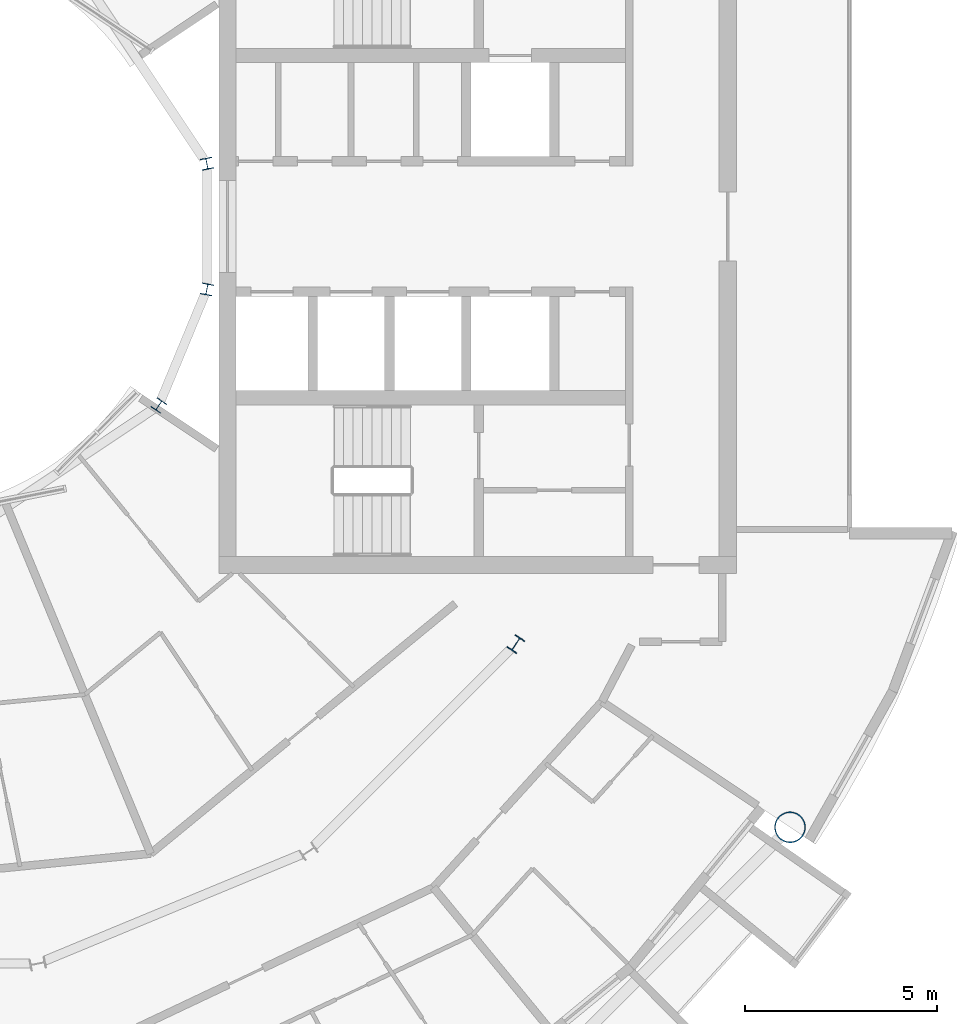
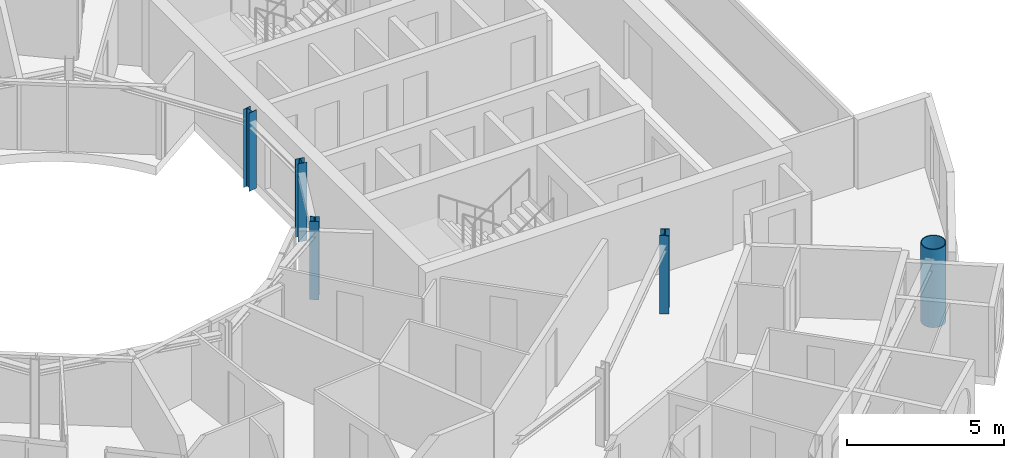
# One storey, part 3 of 29: 5 columns.
"""IFC4 building model written with IfcOpenShell, lengths in metres."""

from ifc_helpers import new_model, si_unit, direction, frame, origin, origin_2d, place, context, subcontext, project, spatial, hollow_circle, i_section, extrude, material, material_profile, profile_set, type_object, element, save


model = new_model("IFC4")

# Units and contexts
model_context = context("Model", 3, precision=1e-05, world=origin(), true_north=direction((0.0, 1.0)))
body_context = subcontext(model_context, "Body", "Model", "MODEL_VIEW")
ifc_project = project(units=[si_unit("LENGTHUNIT", "METRE"), si_unit("AREAUNIT", "SQUARE_METRE"), si_unit("VOLUMEUNIT", "CUBIC_METRE"), si_unit("PLANEANGLEUNIT", "RADIAN"), si_unit("MASSUNIT", "GRAM", prefix="KILO")], contexts=[model_context])

# Site, building, storey
site_placement = place(None, origin())
site = spatial("IfcSite", under=ifc_project, at=site_placement, CompositionType="ELEMENT")
building_placement = place(site_placement, origin())
building = spatial("IfcBuilding", under=site, at=building_placement, Name="Maasbend Ring Residences", CompositionType="ELEMENT")
storey_placement = place(building_placement, frame((0.0, 0.0, 212.699951171875)))
storey = spatial("IfcBuildingStorey", under=building, at=storey_placement, Name="L61", CompositionType="ELEMENT", Elevation=212.699951171875)

# Columns
ifc_material_1 = material(Name="Composite concrete-filled steel tube S460NH / C80/95", Category="concrete")
ifc_material_profile_1 = material_profile(ifc_material_1, hollow_circle(Radius=0.406494140625, WallThickness=0.030029296875, at=origin_2d()), Name="Composite tube column CHS 813x30")
ifc_profile_set_1 = profile_set([ifc_material_profile_1], Name="Composite concrete-filled steel tube S460NH / C80/95")
column_type_1 = type_object("IfcColumnType", Name="Composite tube column CHS 813x30", PredefinedType="COLUMN", material=ifc_profile_set_1)
column_1_placement = place(storey_placement, frame((23.447509765625, -15.6669921875, 0.0), z_axis=(0.0, 0.0, 1.0), x_axis=(1.0, 0.0, 0.0)))
element("IfcColumn", 1, at=column_1_placement, inside=storey, type_object=column_type_1, Name="Outer column R15", PredefinedType="COLUMN", context=body_context, shape_type="SweptSolid", body=[
    extrude(hollow_circle(Radius=0.406494140625, WallThickness=0.030029296875, at=origin_2d()), origin(), (0.0, 0.0, 1.0), 3.050048828125),
])
ifc_material_2 = material(Name="Steel S355J2", Category="steel")
ifc_material_profile_2 = material_profile(ifc_material_2, i_section(OverallWidth=0.300048828125, OverallDepth=0.2900390625, WebThickness=0.008544921875, FlangeThickness=0.013916015625, FilletRadius=0.027099609375, at=origin_2d()), Name="HEA 300")
ifc_profile_set_2 = profile_set([ifc_material_profile_2], Name="Steel S355J2")
column_type_2 = type_object("IfcColumnType", Name="Steel column HEA 300", PredefinedType="COLUMN", material=ifc_profile_set_2)
for number, where, z_axis, x_axis, name in (
    (2, (8.238525390625, 1.638916015625, 0.0), (0.0, 0.0, 1.0), (0.980785280403, 0.195090322016, 0.0), "Well ring column R1"),
    (3, (6.984375, -4.666748046875, 0.0), (0.0, 0.0, 1.0), (0.831469612303, -0.55557023302, 0.0), "Well ring column R15"),
    (4, (8.238525390625, -1.638916015625, 0.0), (0.0, 0.0, 1.0), (0.980785280403, -0.195090322016, 0.0), "Well ring column R16"),
):
    element("IfcColumn", number, at=place(storey_placement, frame(where, z_axis=z_axis, x_axis=x_axis)), inside=storey, type_object=column_type_2, Name=name, PredefinedType="COLUMN", context=body_context, shape_type="SweptSolid", body=[
        extrude(i_section(OverallWidth=0.300048828125, OverallDepth=0.2900390625, WebThickness=0.008544921875, FlangeThickness=0.013916015625, FilletRadius=0.027099609375, at=origin_2d()), origin(), (0.0, 0.0, 1.0), 3.050048828125),
    ])
ifc_material_3 = material(Name="Steel S355J2", Category="steel")
ifc_material_profile_3 = material_profile(ifc_material_3, i_section(OverallWidth=0.300048828125, OverallDepth=0.39990234375, WebThickness=0.013427734375, FlangeThickness=0.02392578125, FilletRadius=0.027099609375, at=origin_2d()), Name="HEB 400")
ifc_profile_set_3 = profile_set([ifc_material_profile_3], Name="Steel S355J2")
column_type_3 = type_object("IfcColumnType", Name="Steel column HEB 400", PredefinedType="COLUMN", material=ifc_profile_set_3)
column_2_placement = place(storey_placement, frame((16.296875, -10.88916015625, 0.0), z_axis=(0.0, 0.0, 1.0), x_axis=(0.831469612303, -0.55557023302, 0.0)))
element("IfcColumn", 5, at=column_2_placement, inside=storey, type_object=column_type_3, Name="Corridor ring column R15", PredefinedType="COLUMN", context=body_context, shape_type="SweptSolid", body=[
    extrude(i_section(OverallWidth=0.300048828125, OverallDepth=0.39990234375, WebThickness=0.013427734375, FlangeThickness=0.02392578125, FilletRadius=0.027099609375, at=origin_2d()), origin(), (0.0, 0.0, 1.0), 3.050048828125),
])

save(model, "model.ifc")
